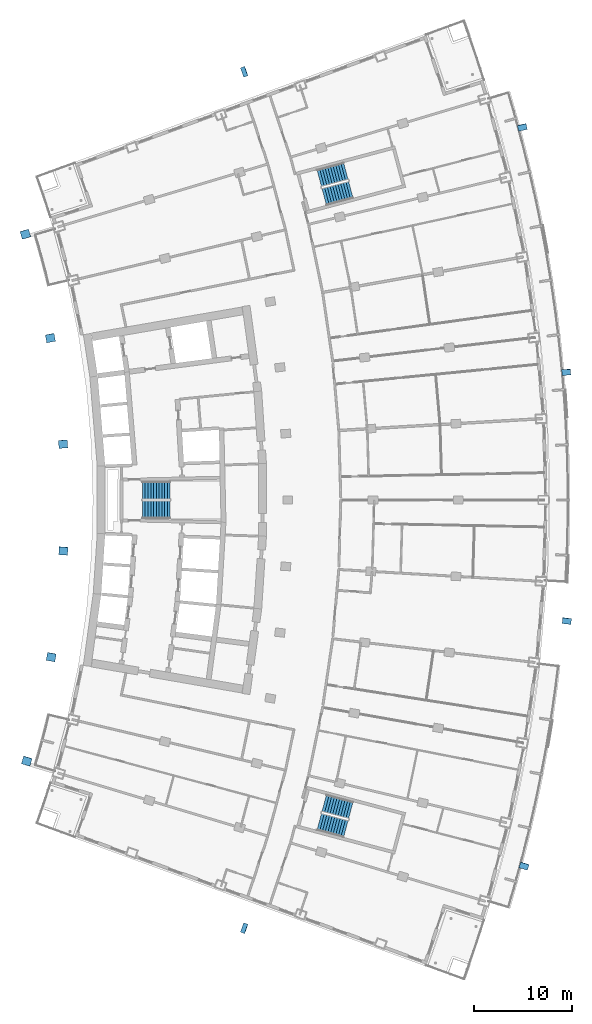
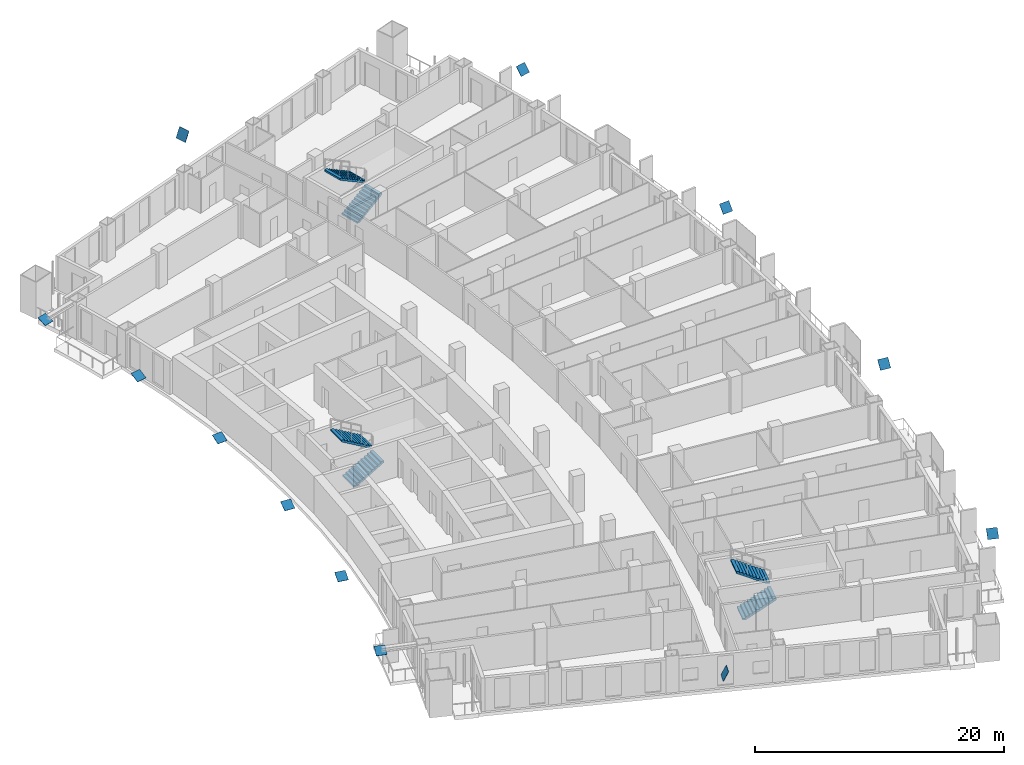
# One storey, part 22 of 25: 12 discrete accessories, 6 stair flights, 3 elements without a shape of their own.
"""IFC4 building model written with IfcOpenShell, lengths in metres."""

from ifc_helpers import new_model, si_unit, direction, frame, origin, origin_2d, place, context, subcontext, project, spatial, polyline, rectangle, outline, extrude, material, layer, layer_set, material_profile, profile_set, type_object, element, aggregate, save


model = new_model("IFC4")

# Units and contexts
model_context = context("Model", 3, precision=1e-05, world=origin(), true_north=direction((0.0, 1.0)))
body_context = subcontext(model_context, "Body", "Model", "MODEL_VIEW")
ifc_project = project(units=[si_unit("LENGTHUNIT", "METRE"), si_unit("AREAUNIT", "SQUARE_METRE"), si_unit("VOLUMEUNIT", "CUBIC_METRE"), si_unit("PLANEANGLEUNIT", "RADIAN"), si_unit("MASSUNIT", "GRAM", prefix="KILO")], contexts=[model_context])

# Site, building, storey
site_placement = place(None, origin())
site = spatial("IfcSite", under=ifc_project, at=site_placement, CompositionType="ELEMENT")
building_placement = place(site_placement, origin())
building = spatial("IfcBuilding", under=site, at=building_placement, Name="Alderwake Tower", CompositionType="ELEMENT")
storey_placement = place(building_placement, frame((0.0, 0.0, 89.60009765625)))
storey = spatial("IfcBuildingStorey", under=building, at=storey_placement, Name="L21", CompositionType="ELEMENT", Elevation=89.60009765625)

# Stair, stair flights
ifc_material_1 = material(Name="Concrete C40/50", Category="concrete")
stair_type = type_object("IfcStairType", Name="Core exit stair", PredefinedType="HALF_TURN_STAIR", material=ifc_material_1)
stair_1_placement = place(storey_placement, origin())
stair_1 = element("IfcStair", 1, at=stair_1_placement, inside=storey, type_object=stair_type, Name="L21 Exit Stair B", PredefinedType="HALF_TURN_STAIR")
ifc_material_2 = material(Name="Concrete C40/50", Category="concrete")
ifc_layer = layer(ifc_material_2, 0.14990234375)
ifc_layer_set = layer_set([ifc_layer], Name="Core stair flight")
stair_flight_type = type_object("IfcStairFlightType", Name="Core stair flight", PredefinedType="STRAIGHT", material=ifc_layer_set)
stair_flight_1_placement = place(storey_placement, frame((21.0400390625, 60.02490234375, 0.0), z_axis=(0.0, 0.0, 1.0), x_axis=(1.0, 0.0, 0.0)))
stair_flight_1 = element("IfcStairFlight", 2, at=stair_flight_1_placement, type_object=stair_flight_type, Name="ST-B flight 1", NumberOfRisers=11, NumberOfTreads=10, PredefinedType="STRAIGHT", RiserHeight=0.163636364, TreadLength=0.28, context=body_context, shape_type="SweptSolid", body=[
    extrude(outline(polyline([(0.0, 0.0), (0.0, 0.16357421875), (0.280029296875, 0.16357421875), (0.280029296875, 0.327392578125), (0.56005859375, 0.327392578125), (0.56005859375, 0.490966796875), (0.840087890625, 0.490966796875), (0.840087890625, 0.654541015625), (1.1201171875, 0.654541015625), (1.1201171875, 0.818115234375), (1.39990234375, 0.818115234375), (1.39990234375, 0.98193359375), (1.679931640625, 0.98193359375), (1.679931640625, 1.1455078125), (1.9599609375, 1.1455078125), (1.9599609375, 1.30908203125), (2.239990234375, 1.30908203125), (2.239990234375, 1.47265625), (2.52001953125, 1.47265625), (2.52001953125, 1.636474609375), (2.800048828125, 1.636474609375), (2.800048828125, 1.800048828125), (2.800048828125, 1.462646484375), (0.297119140625, 0.0), (0.0, 0.0)])), frame((0.0, 0.89990234375, 0.0), z_axis=(0.0, -1.0, 0.0), x_axis=(1.0, 0.0, 0.0)), (0.0, 0.0, 1.0), 1.800048828125),
])
stair_flight_2_placement = place(storey_placement, frame((23.840087890625, 61.97509765625, 1.7998046875), z_axis=(0.0, 0.0, 1.0), x_axis=(-1.0, 0.0, 0.0)))
stair_flight_2 = element("IfcStairFlight", 3, at=stair_flight_2_placement, type_object=stair_flight_type, Name="ST-B flight 2", NumberOfRisers=11, NumberOfTreads=10, PredefinedType="STRAIGHT", RiserHeight=0.163636364, TreadLength=0.28, context=body_context, shape_type="SweptSolid", body=[
    extrude(outline(polyline([(0.0, 0.0), (0.0, 0.16357421875), (0.280029296875, 0.16357421875), (0.280029296875, 0.327392578125), (0.56005859375, 0.327392578125), (0.56005859375, 0.490966796875), (0.840087890625, 0.490966796875), (0.840087890625, 0.654541015625), (1.1201171875, 0.654541015625), (1.1201171875, 0.818115234375), (1.39990234375, 0.818115234375), (1.39990234375, 0.98193359375), (1.679931640625, 0.98193359375), (1.679931640625, 1.1455078125), (1.9599609375, 1.1455078125), (1.9599609375, 1.30908203125), (2.239990234375, 1.30908203125), (2.239990234375, 1.47265625), (2.52001953125, 1.47265625), (2.52001953125, 1.636474609375), (2.800048828125, 1.636474609375), (2.800048828125, 1.800048828125), (2.800048828125, 1.462646484375), (0.297119140625, 0.0), (0.0, 0.0)])), frame((0.0, 0.89990234375, 0.0), z_axis=(0.0, -1.0, 0.0), x_axis=(1.0, 0.0, 0.0)), (0.0, 0.0, 1.0), 1.800048828125),
])
aggregate(stair_1, [stair_flight_1, stair_flight_2])

stair_2_placement = place(storey_placement, origin())
stair_2 = element("IfcStair", 4, at=stair_2_placement, inside=storey, type_object=stair_type, Name="L21 Exit Stair A", PredefinedType="HALF_TURN_STAIR")
stair_flight_3_placement = place(storey_placement, frame((39.512939453125, 91.823974609375, 0.0), z_axis=(0.0, 0.0, 1.0), x_axis=(0.966309627437, 0.257382407951, 0.0)))
stair_flight_3 = element("IfcStairFlight", 5, at=stair_flight_3_placement, type_object=stair_flight_type, Name="ST-A flight 1", NumberOfRisers=11, NumberOfTreads=10, PredefinedType="STRAIGHT", RiserHeight=0.163636364, TreadLength=0.28, context=body_context, shape_type="SweptSolid", body=[
    extrude(outline(polyline([(0.0, 0.0), (0.0, 0.16357421875), (0.280029296875, 0.16357421875), (0.280029296875, 0.327392578125), (0.56005859375, 0.327392578125), (0.56005859375, 0.490966796875), (0.840087890625, 0.490966796875), (0.840087890625, 0.654541015625), (1.1201171875, 0.654541015625), (1.1201171875, 0.818115234375), (1.39990234375, 0.818115234375), (1.39990234375, 0.98193359375), (1.679931640625, 0.98193359375), (1.679931640625, 1.1455078125), (1.9599609375, 1.1455078125), (1.9599609375, 1.30908203125), (2.239990234375, 1.30908203125), (2.239990234375, 1.47265625), (2.52001953125, 1.47265625), (2.52001953125, 1.636474609375), (2.800048828125, 1.636474609375), (2.800048828125, 1.800048828125), (2.800048828125, 1.462646484375), (0.297119140625, 0.0), (0.0, 0.0)])), frame((0.0, 0.89990234375, 0.0), z_axis=(0.0, -1.0, 0.0), x_axis=(1.0, 0.0, 0.0)), (0.0, 0.0, 1.0), 1.800048828125),
])
stair_flight_4_placement = place(storey_placement, frame((41.716796875, 94.428955078125, 1.7998046875), z_axis=(0.0, 0.0, 1.0), x_axis=(-0.966309627437, -0.257382407951, 0.0)))
stair_flight_4 = element("IfcStairFlight", 6, at=stair_flight_4_placement, type_object=stair_flight_type, Name="ST-A flight 2", NumberOfRisers=11, NumberOfTreads=10, PredefinedType="STRAIGHT", RiserHeight=0.163636364, TreadLength=0.28, context=body_context, shape_type="SweptSolid", body=[
    extrude(outline(polyline([(0.0, 0.0), (0.0, 0.16357421875), (0.280029296875, 0.16357421875), (0.280029296875, 0.327392578125), (0.56005859375, 0.327392578125), (0.56005859375, 0.490966796875), (0.840087890625, 0.490966796875), (0.840087890625, 0.654541015625), (1.1201171875, 0.654541015625), (1.1201171875, 0.818115234375), (1.39990234375, 0.818115234375), (1.39990234375, 0.98193359375), (1.679931640625, 0.98193359375), (1.679931640625, 1.1455078125), (1.9599609375, 1.1455078125), (1.9599609375, 1.30908203125), (2.239990234375, 1.30908203125), (2.239990234375, 1.47265625), (2.52001953125, 1.47265625), (2.52001953125, 1.636474609375), (2.800048828125, 1.636474609375), (2.800048828125, 1.800048828125), (2.800048828125, 1.462646484375), (0.297119140625, 0.0), (0.0, 0.0)])), frame((0.0, 0.89990234375, 0.0), z_axis=(0.0, -1.0, 0.0), x_axis=(1.0, 0.0, 0.0)), (0.0, 0.0, 1.0), 1.800048828125),
])
aggregate(stair_2, [stair_flight_3, stair_flight_4])

stair_3_placement = place(storey_placement, origin())
stair_3 = element("IfcStair", 7, at=stair_3_placement, inside=storey, type_object=stair_type, Name="L21 Exit Stair C", PredefinedType="HALF_TURN_STAIR")
stair_flight_5_placement = place(storey_placement, frame((39.010986328125, 28.291748046875, 0.0), z_axis=(0.0, 0.0, 1.0), x_axis=(0.966309627437, -0.257382407951, 0.0)))
stair_flight_5 = element("IfcStairFlight", 8, at=stair_flight_5_placement, type_object=stair_flight_type, Name="ST-C flight 1", NumberOfRisers=11, NumberOfTreads=10, PredefinedType="STRAIGHT", RiserHeight=0.163636364, TreadLength=0.28, context=body_context, shape_type="SweptSolid", body=[
    extrude(outline(polyline([(0.0, 0.0), (0.0, 0.16357421875), (0.280029296875, 0.16357421875), (0.280029296875, 0.327392578125), (0.56005859375, 0.327392578125), (0.56005859375, 0.490966796875), (0.840087890625, 0.490966796875), (0.840087890625, 0.654541015625), (1.1201171875, 0.654541015625), (1.1201171875, 0.818115234375), (1.39990234375, 0.818115234375), (1.39990234375, 0.98193359375), (1.679931640625, 0.98193359375), (1.679931640625, 1.1455078125), (1.9599609375, 1.1455078125), (1.9599609375, 1.30908203125), (2.239990234375, 1.30908203125), (2.239990234375, 1.47265625), (2.52001953125, 1.47265625), (2.52001953125, 1.636474609375), (2.800048828125, 1.636474609375), (2.800048828125, 1.800048828125), (2.800048828125, 1.462646484375), (0.297119140625, 0.0), (0.0, 0.0)])), frame((0.0, 0.89990234375, 0.0), z_axis=(0.0, -1.0, 0.0), x_axis=(1.0, 0.0, 0.0)), (0.0, 0.0, 1.0), 1.800048828125),
])
stair_flight_6_placement = place(storey_placement, frame((42.218505859375, 29.455322265625, 1.7998046875), z_axis=(0.0, 0.0, 1.0), x_axis=(-0.966309627437, 0.257382407951, 0.0)))
stair_flight_6 = element("IfcStairFlight", 9, at=stair_flight_6_placement, type_object=stair_flight_type, Name="ST-C flight 2", NumberOfRisers=11, NumberOfTreads=10, PredefinedType="STRAIGHT", RiserHeight=0.163636364, TreadLength=0.28, context=body_context, shape_type="SweptSolid", body=[
    extrude(outline(polyline([(0.0, 0.0), (0.0, 0.16357421875), (0.280029296875, 0.16357421875), (0.280029296875, 0.327392578125), (0.56005859375, 0.327392578125), (0.56005859375, 0.490966796875), (0.840087890625, 0.490966796875), (0.840087890625, 0.654541015625), (1.1201171875, 0.654541015625), (1.1201171875, 0.818115234375), (1.39990234375, 0.818115234375), (1.39990234375, 0.98193359375), (1.679931640625, 0.98193359375), (1.679931640625, 1.1455078125), (1.9599609375, 1.1455078125), (1.9599609375, 1.30908203125), (2.239990234375, 1.30908203125), (2.239990234375, 1.47265625), (2.52001953125, 1.47265625), (2.52001953125, 1.636474609375), (2.800048828125, 1.636474609375), (2.800048828125, 1.800048828125), (2.800048828125, 1.462646484375), (0.297119140625, 0.0), (0.0, 0.0)])), frame((0.0, 0.89990234375, 0.0), z_axis=(0.0, -1.0, 0.0), x_axis=(1.0, 0.0, 0.0)), (0.0, 0.0, 1.0), 1.800048828125),
])
aggregate(stair_3, [stair_flight_5, stair_flight_6])

# Discrete accessories
ifc_material_3 = material(Name="Steel ASTM A572 Grade 50", Category="steel")
ifc_material_profile_1 = material_profile(ifc_material_3, rectangle(XDim=1.0, YDim=1.0, at=origin_2d()), Name="BOX 1000X1000X60 cap")
ifc_profile_set_1 = profile_set([ifc_material_profile_1], Name="Steel ASTM A572 Grade 50")
discrete_accessory_type_1 = type_object("IfcDiscreteAccessoryType", Name="End cap plate BOX 1000X1000X60", PredefinedType="USERDEFINED", material=ifc_profile_set_1)
for number, where, z_axis, x_axis, name in (
    (10, (31.39404296875, 17.4638671875, 3.421142578125), (-0.846311974011, 0.301091759985, 0.439431217275), (-0.335188382166, -0.942151128249, 0.0), "End cap BRS2.1.0B1 X"),
    (11, (31.39404296875, 104.5361328125, 3.421142578125), (-0.846311974011, -0.301091759985, 0.439431217275), (0.335188382166, -0.942151128249, 0.0), "End cap BRN2.1.0B1 X"),
):
    element("IfcDiscreteAccessory", number, at=place(storey_placement, frame(where, z_axis=z_axis, x_axis=x_axis)), inside=storey, type_object=discrete_accessory_type_1, Name=name, ObjectType="END CAP", PredefinedType="USERDEFINED", context=body_context, shape_type="SweptSolid", body=[
        extrude(rectangle(XDim=1.0, YDim=1.0, at=origin_2d()), origin(), (0.0, 0.0, 1.0), 0.030029296875),
    ])
ifc_material_4 = material(Name="Steel ASTM A572 Grade 50", Category="steel")
ifc_material_profile_2 = material_profile(ifc_material_4, rectangle(XDim=0.89990234375, YDim=0.89990234375, at=origin_2d()), Name="BOX 900X900X55 cap")
ifc_profile_set_2 = profile_set([ifc_material_profile_2], Name="Steel ASTM A572 Grade 50")
discrete_accessory_type_2 = type_object("IfcDiscreteAccessoryType", Name="End cap plate BOX 900X900X55", PredefinedType="USERDEFINED", material=ifc_profile_set_2)
for number, where, z_axis, x_axis, name in (
    (12, (59.832275390625, 23.79052734375, 3.3310546875), (-0.220087569404, -0.725473839886, 0.652111316751), (0.956933928415, -0.290305798508, 0.0), "End cap BRF2.1.1B1 X"),
    (13, (64.175048828125, 48.704833984375, 3.3310546875), (-0.089309959981, -0.755075116206, 0.649526981683), (0.993077521975, -0.117460782169, 0.0), "End cap BRF2.1.4B1 X"),
):
    element("IfcDiscreteAccessory", number, at=place(storey_placement, frame(where, z_axis=z_axis, x_axis=x_axis)), inside=storey, type_object=discrete_accessory_type_2, Name=name, ObjectType="END CAP", PredefinedType="USERDEFINED", context=body_context, shape_type="SweptSolid", body=[
        extrude(rectangle(XDim=0.89990234375, YDim=0.89990234375, at=origin_2d()), origin(), (0.0, 0.0, 1.0), 0.030029296875),
    ])
discrete_accessory_placement = place(storey_placement, frame((64.11376953125, 73.99462890625, 3.3310546875), z_axis=(0.04047422188, -0.760915371343, 0.647587550079), x_axis=(0.998588327595, 0.053116400404, 0.0)))
element("IfcDiscreteAccessory", 14, at=discrete_accessory_placement, inside=storey, type_object=discrete_accessory_type_2, Name="End cap BRF2.1.7B1 X", ObjectType="END CAP", PredefinedType="USERDEFINED", context=body_context, shape_type="SweptSolid", body=[
    extrude(rectangle(XDim=0.89990234375, YDim=0.89990234375, at=origin_2d()), origin(), (0.0, 0.0, 1.0), 0.0302734375),
])
for number, where, z_axis, x_axis, name in (
    (15, (59.650146484375, 98.887451171875, 3.3310546875), (0.170771218747, -0.740008614569, 0.650557023797), (0.974391195695, 0.224859506699, 0.0), "End cap BRF2.1.10B1 X"),
    (16, (9.28076171875, 34.460693359375, 3.09521484375), (-0.129926809902, -0.430382557802, 0.893246818079), (0.957327710787, -0.289004591936, 0.0), "End cap BRR2.1.1B1 X"),
    (17, (11.762939453125, 45.03369140625, 3.09521484375), (-0.081044089847, -0.44574249416, 0.89148498832), (0.9838699101, -0.1788854382, 0.0), "End cap BRR2.1.3B1 X"),
    (18, (12.997802734375, 55.823486328125, 3.09521484375), (-0.032507435656, -0.446977240277, 0.893954480553), (0.997365816959, -0.072535695779, 0.0), "End cap BRR2.1.5B1 X"),
    (19, (12.968017578125, 66.683837890625, 3.09521484375), (0.032507435656, -0.446977240277, 0.893954480553), (0.997365816959, 0.072535695779, 0.0), "End cap BRR2.1.7B1 X"),
    (20, (11.674560546875, 77.466796875, 3.09521484375), (0.08133576549, -0.439213133645, 0.894693420388), (0.983282004984, 0.182089260182, 0.0), "End cap BRR2.1.9B1 X"),
    (21, (9.134521484375, 88.026123046875, 3.09521484375), (0.129926809902, -0.430382557802, 0.893246818079), (0.957327710787, 0.289004591936, 0.0), "End cap BRR2.1.11B1 X"),
):
    element("IfcDiscreteAccessory", number, at=place(storey_placement, frame(where, z_axis=z_axis, x_axis=x_axis)), inside=storey, type_object=discrete_accessory_type_2, Name=name, ObjectType="END CAP", PredefinedType="USERDEFINED", context=body_context, shape_type="SweptSolid", body=[
        extrude(rectangle(XDim=0.89990234375, YDim=0.89990234375, at=origin_2d()), origin(), (0.0, 0.0, 1.0), 0.030029296875),
    ])

save(model, "model.ifc")
